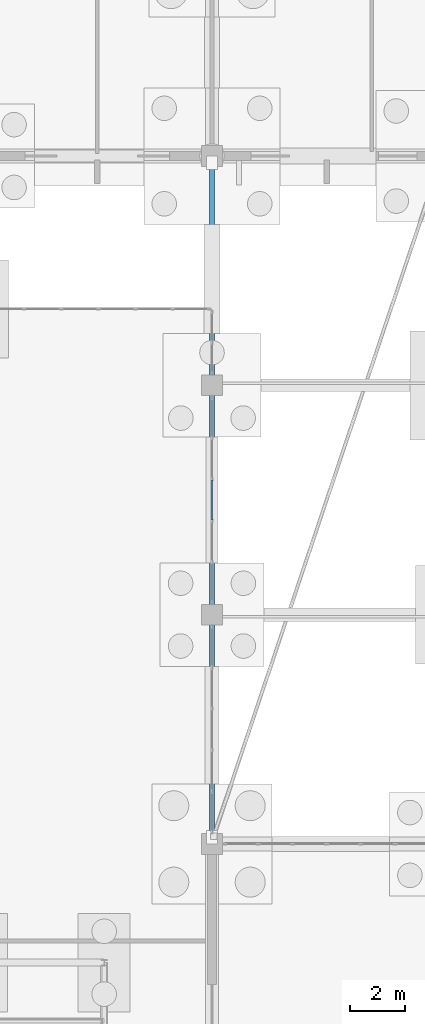
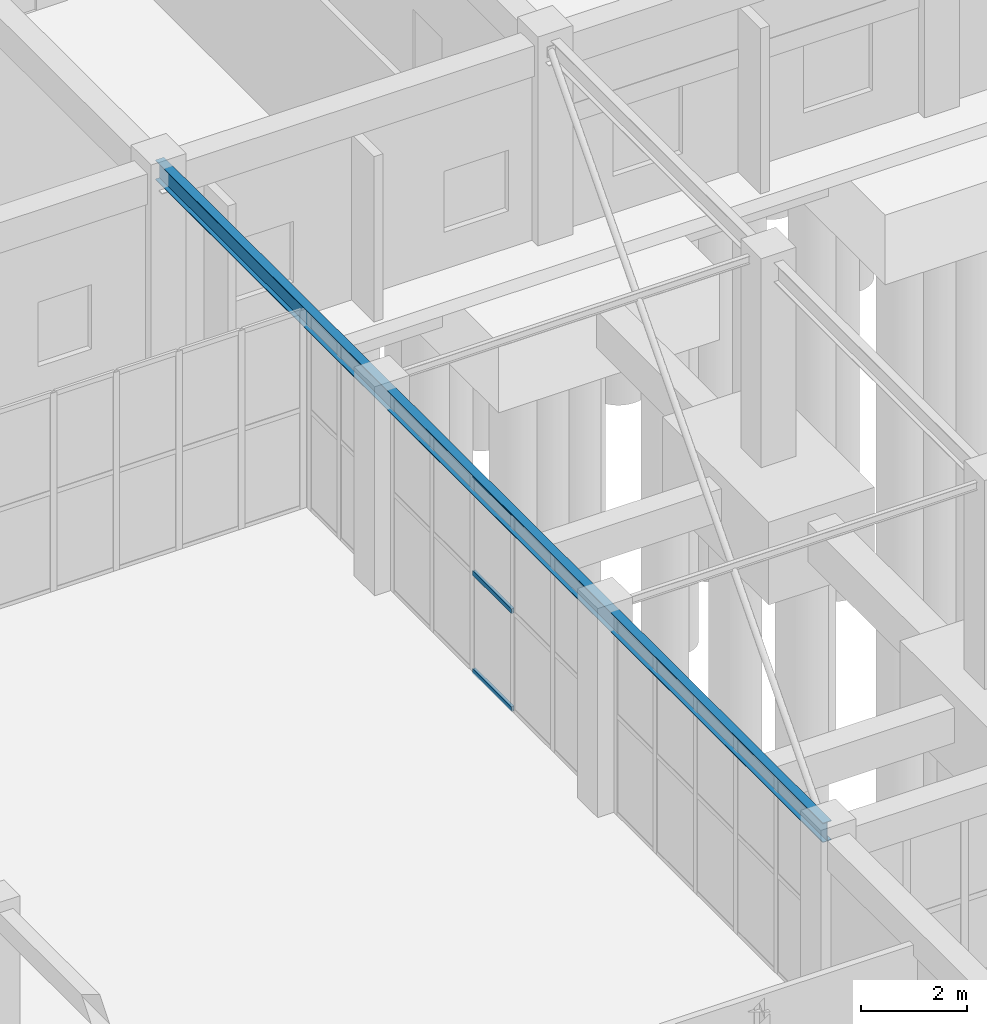
# One storey, part 99 of 192: 3 members, 1 beam, 1 element without a shape of its own.
"""IFC4 building model written with IfcOpenShell, lengths in metres."""

from ifc_helpers import new_model, si_unit, direction, frame, origin, origin_2d, place, context, subcontext, project, spatial, hollow_rectangle, i_section, extrude, material, layer, layer_set, material_profile, profile_set, type_object, element, aggregate, save


model = new_model("IFC4")

# Units and contexts
model_context = context("Model", 3, precision=1e-05, world=origin(), true_north=direction((0.0, 1.0)))
body_context = subcontext(model_context, "Body", "Model", "MODEL_VIEW")
ifc_project = project(units=[si_unit("LENGTHUNIT", "METRE"), si_unit("AREAUNIT", "SQUARE_METRE"), si_unit("VOLUMEUNIT", "CUBIC_METRE"), si_unit("PLANEANGLEUNIT", "RADIAN"), si_unit("MASSUNIT", "GRAM", prefix="KILO")], contexts=[model_context])

# Site, building, storey
site_placement = place(None, origin())
site = spatial("IfcSite", under=ifc_project, at=site_placement, CompositionType="ELEMENT")
building_placement = place(site_placement, origin())
building = spatial("IfcBuilding", under=site, at=building_placement, Name="Trelvath General Hospital", CompositionType="ELEMENT")
storey_placement = place(building_placement, origin())
storey = spatial("IfcBuildingStorey", under=building, at=storey_placement, Name="L00", CompositionType="ELEMENT", Elevation=0.0)

# Beam
ifc_material_1 = material(Name="Steel S355", Category="steel")
ifc_material_profile_1 = material_profile(ifc_material_1, i_section(OverallWidth=0.18994140625, OverallDepth=0.449951171875, WebThickness=0.009521484375, FlangeThickness=0.0146484375, at=origin_2d()), Name="IPE450")
ifc_profile_set_1 = profile_set([ifc_material_profile_1], Name="Steel S355")
beam_type = type_object("IfcBeamType", Name="BridgeGirder IPE450", PredefinedType="BEAM", material=ifc_profile_set_1)
beam_placement = place(storey_placement, frame((75.60009765625, 67.239990234375, 4.385009765625), z_axis=(0.0, 1.0, 0.0), x_axis=(-1.0, 0.0, 0.0)))
element("IfcBeam", 1, at=beam_placement, inside=storey, type_object=beam_type, Name="Bridge Girder BRG-N-C W L01", PredefinedType="BEAM", context=body_context, shape_type="SweptSolid", body=[
    extrude(i_section(OverallWidth=0.18994140625, OverallDepth=0.449951171875, WebThickness=0.009521484375, FlangeThickness=0.0146484375, at=origin_2d()), origin(), (0.0, 0.0, 1.0), 25.1201171875),
])

# Curtain wall, members
ifc_material_2 = material(Name="Anodised aluminium and low-E glass", Category="aluminium")
ifc_layer = layer(ifc_material_2, 0.139892578125)
ifc_layer_set = layer_set([ifc_layer], Name="Anodised aluminium and low-E glass")
curtain_wall_type = type_object("IfcCurtainWallType", Name="CW CrystalCube 758 456 14", PredefinedType="USERDEFINED", material=ifc_layer_set)
curtain_wall_placement = place(storey_placement, origin())
curtain_wall = element("IfcCurtainWall", 2, at=curtain_wall_placement, inside=storey, type_object=curtain_wall_type, Name="Crystal Cube Curtain Wall CUBE-W-T0 E6 L00", ObjectType="Unitised Glazed Curtain Wall", PredefinedType="USERDEFINED")
ifc_material_3 = material(Name="Anodised aluminium", Category="aluminium")
ifc_material_profile_2 = material_profile(ifc_material_3, hollow_rectangle(XDim=0.06005859375, YDim=0.110107421875, WallThickness=0.00390625, at=origin_2d()), Name="RHS60x110x4")
ifc_profile_set_2 = profile_set([ifc_material_profile_2], Name="Anodised aluminium")
member_type = type_object("IfcMemberType", Name="CurtainTransom 60x110", PredefinedType="USERDEFINED", material=ifc_profile_set_2)
member_1_placement = place(storey_placement, frame((75.60009765625, 80.528076171875, 0.030029296875), z_axis=(0.0, -1.0, 0.0), x_axis=(1.0, 0.0, 0.0)))
member_1 = element("IfcMember", 3, at=member_1_placement, type_object=member_type, Name="CW-103 transom 3.1", ObjectType="TRANSOM", PredefinedType="USERDEFINED", context=body_context, shape_type="SweptSolid", body=[
    extrude(hollow_rectangle(XDim=0.06005859375, YDim=0.110107421875, WallThickness=0.00390625, at=origin_2d()), origin(), (0.0, 0.0, 1.0), 1.4560546875),
])
member_2_placement = place(storey_placement, frame((75.60009765625, 80.528076171875, 2.280029296875), z_axis=(0.0, -1.0, 0.0), x_axis=(1.0, 0.0, 0.0)))
member_2 = element("IfcMember", 4, at=member_2_placement, type_object=member_type, Name="CW-103 transom 3.2", ObjectType="TRANSOM", PredefinedType="USERDEFINED", context=body_context, shape_type="SweptSolid", body=[
    extrude(hollow_rectangle(XDim=0.06005859375, YDim=0.110107421875, WallThickness=0.00390625, at=origin_2d()), origin(), (0.0, 0.0, 1.0), 1.4560546875),
])
member_3_placement = place(storey_placement, frame((75.60009765625, 80.528076171875, 4.530029296875), z_axis=(0.0, -1.0, 0.0), x_axis=(1.0, 0.0, 0.0)))
member_3 = element("IfcMember", 5, at=member_3_placement, type_object=member_type, Name="CW-103 transom 3.3", ObjectType="TRANSOM", PredefinedType="USERDEFINED", context=body_context, shape_type="SweptSolid", body=[
    extrude(hollow_rectangle(XDim=0.06005859375, YDim=0.110107421875, WallThickness=0.00390625, at=origin_2d()), origin(), (0.0, 0.0, 1.0), 1.4560546875),
])
aggregate(curtain_wall, [member_1, member_2, member_3])

save(model, "model.ifc")
